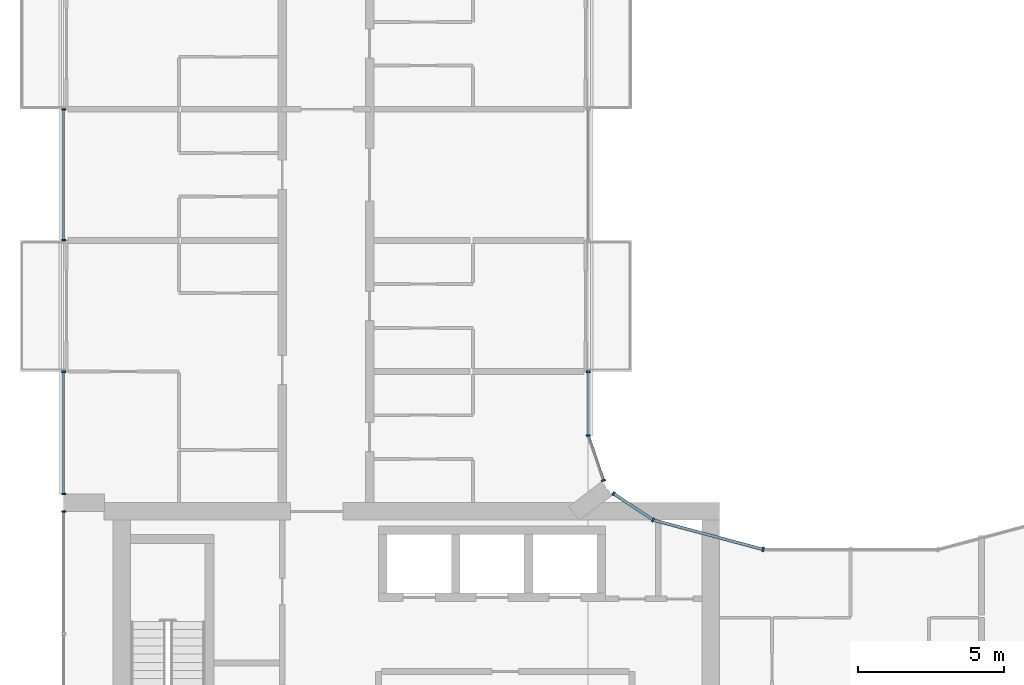
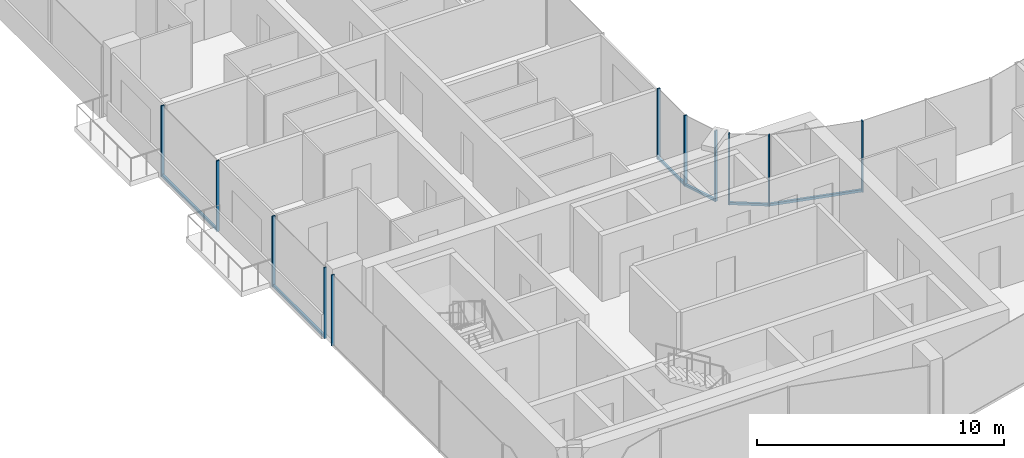
# One storey, part 4 of 17: 17 members, 7 elements without a shape of their own.
"""IFC4 building model written with IfcOpenShell, lengths in metres."""

from ifc_helpers import new_model, si_unit, direction, frame, origin, origin_2d, place, context, subcontext, project, spatial, rectangle, extrude, material, layer, layer_set, material_profile, profile_set, type_object, element, aggregate, save


model = new_model("IFC4")

# Units and contexts
model_context = context("Model", 3, precision=1e-05, world=origin(), true_north=direction((0.0, 1.0)))
body_context = subcontext(model_context, "Body", "Model", "MODEL_VIEW")
ifc_project = project(units=[si_unit("LENGTHUNIT", "METRE"), si_unit("AREAUNIT", "SQUARE_METRE"), si_unit("VOLUMEUNIT", "CUBIC_METRE"), si_unit("PLANEANGLEUNIT", "RADIAN"), si_unit("MASSUNIT", "GRAM", prefix="KILO")], contexts=[model_context])

# Site, building, storey
site_placement = place(None, origin())
site = spatial("IfcSite", under=ifc_project, at=site_placement, CompositionType="ELEMENT")
building_placement = place(site_placement, origin())
building = spatial("IfcBuilding", under=site, at=building_placement, Name="Plateau Cross Towers", CompositionType="ELEMENT")
storey_placement = place(building_placement, frame((0.0, 0.0, 142.89990234375)))
storey = spatial("IfcBuildingStorey", under=building, at=storey_placement, Name="L36", CompositionType="ELEMENT", Elevation=142.89990234375)

# Curtain wall, members
ifc_material_1 = material(Name="Dark low-iron glass", Category="glass")
ifc_layer_1 = layer(ifc_material_1, 0.239990234375)
ifc_layer_set_1 = layer_set([ifc_layer_1], Name="Dark low-iron glass")
curtain_wall_type_1 = type_object("IfcCurtainWallType", Name="Curtain wall flush unitised CW-B", PredefinedType="NOTDEFINED", material=ifc_layer_set_1)
curtain_wall_1_placement = place(storey_placement, origin())
curtain_wall_1 = element("IfcCurtainWall", 1, at=curtain_wall_1_placement, inside=storey, type_object=curtain_wall_type_1, Name="ENV/A/L36/A202_174", PredefinedType="NOTDEFINED")
ifc_material_2 = material(Name="Black anodised aluminium", Category="aluminium")
ifc_material_profile_1 = material_profile(ifc_material_2, rectangle(XDim=0.06005859375, YDim=0.139892578125, at=origin_2d()), Name="MULLION 60x140")
ifc_profile_set_1 = profile_set([ifc_material_profile_1], Name="Black anodised aluminium")
member_type_1 = type_object("IfcMemberType", Name="Mullion 60x140 flush unitised", PredefinedType="MULLION", material=ifc_profile_set_1)
member_1_placement = place(storey_placement, frame((20.223876953125, 17.404296875, -0.25), z_axis=(0.0, 0.0, 1.0), x_axis=(-0.831521253329, 0.555492938984, 0.0)))
member_1 = element("IfcMember", 2, at=member_1_placement, type_object=member_type_1, Name="CW-B mullion 1", PredefinedType="MULLION", context=body_context, shape_type="SweptSolid", body=[
    extrude(rectangle(XDim=0.06005859375, YDim=0.139892578125, at=origin_2d()), origin(), (0.0, 0.0, 1.0), 3.5),
])
member_2_placement = place(storey_placement, frame((18.86962890625, 18.30908203125, -0.25), z_axis=(0.0, 0.0, 1.0), x_axis=(-0.831521253329, 0.555492938984, 0.0)))
member_2 = element("IfcMember", 3, at=member_2_placement, type_object=member_type_1, Name="CW-B mullion 2", PredefinedType="MULLION", context=body_context, shape_type="SweptSolid", body=[
    extrude(rectangle(XDim=0.06005859375, YDim=0.139892578125, at=origin_2d()), origin(), (0.0, 0.0, 1.0), 3.5),
])

# Curtain wall, member
curtain_wall_2_placement = place(storey_placement, origin())
curtain_wall_2 = element("IfcCurtainWall", 4, at=curtain_wall_2_placement, inside=storey, type_object=curtain_wall_type_1, Name="ENV/A/L36/A185_188", PredefinedType="NOTDEFINED")
member_3_placement = place(storey_placement, frame((18.523681640625, 18.760009765625, -0.25), z_axis=(0.0, 0.0, 1.0), x_axis=(-0.321469161574, 0.94692004845, 0.0)))
member_3 = element("IfcMember", 5, at=member_3_placement, type_object=member_type_1, Name="CW-B mullion 1", PredefinedType="MULLION", context=body_context, shape_type="SweptSolid", body=[
    extrude(rectangle(XDim=0.06005859375, YDim=0.139892578125, at=origin_2d()), origin(), (0.0, 0.0, 1.0), 3.5),
])

# Curtain wall, members
curtain_wall_3_placement = place(storey_placement, origin())
curtain_wall_3 = element("IfcCurtainWall", 6, at=curtain_wall_3_placement, inside=storey, type_object=curtain_wall_type_1, Name="ENV/A/L36/A180_203", PredefinedType="NOTDEFINED")
member_4_placement = place(storey_placement, frame((18.0, 20.30224609375, -0.25), z_axis=(0.0, 0.0, 1.0), x_axis=(0.0, 1.0, 0.0)))
member_4 = element("IfcMember", 7, at=member_4_placement, type_object=member_type_1, Name="CW-B mullion 1", PredefinedType="MULLION", context=body_context, shape_type="SweptSolid", body=[
    extrude(rectangle(XDim=0.06005859375, YDim=0.139892578125, at=origin_2d()), origin(), (0.0, 0.0, 1.0), 3.5),
])
member_5_placement = place(storey_placement, frame((18.0, 22.489990234375, -0.25), z_axis=(0.0, 0.0, 1.0), x_axis=(0.0, 1.0, 0.0)))
member_5 = element("IfcMember", 8, at=member_5_placement, type_object=member_type_1, Name="CW-B mullion 2", PredefinedType="MULLION", context=body_context, shape_type="SweptSolid", body=[
    extrude(rectangle(XDim=0.06005859375, YDim=0.139892578125, at=origin_2d()), origin(), (0.0, 0.0, 1.0), 3.5),
])

curtain_wall_4_placement = place(storey_placement, origin())
curtain_wall_4 = element("IfcCurtainWall", 9, at=curtain_wall_4_placement, inside=storey, type_object=curtain_wall_type_1, Name="ENV/A/L36/A0_315", PredefinedType="NOTDEFINED")
member_6_placement = place(storey_placement, frame((0.0, 31.489990234375, -0.25), z_axis=(0.0, 0.0, 1.0), x_axis=(0.0, -1.0, 0.0)))
member_6 = element("IfcMember", 10, at=member_6_placement, type_object=member_type_1, Name="CW-B mullion 1", PredefinedType="MULLION", context=body_context, shape_type="SweptSolid", body=[
    extrude(rectangle(XDim=0.06005859375, YDim=0.139892578125, at=origin_2d()), origin(), (0.0, 0.0, 1.0), 3.5),
])
member_7_placement = place(storey_placement, frame((0.0, 27.010009765625, -0.25), z_axis=(0.0, 0.0, 1.0), x_axis=(0.0, -1.0, 0.0)))
member_7 = element("IfcMember", 11, at=member_7_placement, type_object=member_type_1, Name="CW-B mullion 2", PredefinedType="MULLION", context=body_context, shape_type="SweptSolid", body=[
    extrude(rectangle(XDim=0.06005859375, YDim=0.139892578125, at=origin_2d()), origin(), (0.0, 0.0, 1.0), 3.5),
])

curtain_wall_5_placement = place(storey_placement, origin())
curtain_wall_5 = element("IfcCurtainWall", 12, at=curtain_wall_5_placement, inside=storey, type_object=curtain_wall_type_1, Name="ENV/A/L36/A0_225", PredefinedType="NOTDEFINED")
member_8_placement = place(storey_placement, frame((0.0, 22.489990234375, -0.25), z_axis=(0.0, 0.0, 1.0), x_axis=(0.0, -1.0, 0.0)))
member_8 = element("IfcMember", 13, at=member_8_placement, type_object=member_type_1, Name="CW-B mullion 1", PredefinedType="MULLION", context=body_context, shape_type="SweptSolid", body=[
    extrude(rectangle(XDim=0.06005859375, YDim=0.139892578125, at=origin_2d()), origin(), (0.0, 0.0, 1.0), 3.5),
])
member_9_placement = place(storey_placement, frame((0.0, 18.300048828125, -0.25), z_axis=(0.0, 0.0, 1.0), x_axis=(0.0, -1.0, 0.0)))
member_9 = element("IfcMember", 14, at=member_9_placement, type_object=member_type_1, Name="CW-B mullion 2", PredefinedType="MULLION", context=body_context, shape_type="SweptSolid", body=[
    extrude(rectangle(XDim=0.06005859375, YDim=0.139892578125, at=origin_2d()), origin(), (0.0, 0.0, 1.0), 3.5),
])

# Curtain wall, member
curtain_wall_6_placement = place(storey_placement, origin())
curtain_wall_6 = element("IfcCurtainWall", 15, at=curtain_wall_6_placement, inside=storey, type_object=curtain_wall_type_1, Name="ENV/A/L36/A0_177", PredefinedType="NOTDEFINED")
member_10_placement = place(storey_placement, frame((0.0, 17.699951171875, -0.25), z_axis=(0.0, 0.0, 1.0), x_axis=(0.0, -1.0, 0.0)))
member_10 = element("IfcMember", 16, at=member_10_placement, type_object=member_type_1, Name="CW-B mullion 1", PredefinedType="MULLION", context=body_context, shape_type="SweptSolid", body=[
    extrude(rectangle(XDim=0.06005859375, YDim=0.139892578125, at=origin_2d()), origin(), (0.0, 0.0, 1.0), 3.5),
])
aggregate(curtain_wall_6, [member_10])

ifc_layer_2 = layer(ifc_material_1, 0.260009765625)
ifc_layer_set_2 = layer_set([ifc_layer_2], Name="Dark low-iron glass")
curtain_wall_type_2 = type_object("IfcCurtainWallType", Name="Curtain wall fluted unitised CW-A", PredefinedType="NOTDEFINED", material=ifc_layer_set_2)
curtain_wall_7_placement = place(storey_placement, origin())
curtain_wall_7 = element("IfcCurtainWall", 17, at=curtain_wall_7_placement, inside=storey, type_object=curtain_wall_type_2, Name="ENV/A/L36/A240_164", PredefinedType="NOTDEFINED")
ifc_material_profile_2 = material_profile(ifc_material_2, rectangle(XDim=0.06005859375, YDim=0.159912109375, at=origin_2d()), Name="MULLION 60x160")
ifc_profile_set_2 = profile_set([ifc_material_profile_2], Name="Black anodised aluminium")
member_type_2 = type_object("IfcMemberType", Name="Mullion 60x160 fluted unitised", PredefinedType="MULLION", material=ifc_profile_set_2)
member_11_placement = place(storey_placement, frame((24.0, 16.39306640625, -0.25), z_axis=(0.0, 0.0, 1.0), x_axis=(-0.965957995816, 0.258698956933, 0.0)))
member_11 = element("IfcMember", 18, at=member_11_placement, type_object=member_type_2, Name="CW-A mullion 1", PredefinedType="MULLION", context=body_context, shape_type="SweptSolid", body=[
    extrude(rectangle(XDim=0.06005859375, YDim=0.159912109375, at=origin_2d()), origin(), (0.0, 0.0, 1.0), 3.5),
])

# Member
ifc_material_profile_3 = material_profile(ifc_material_2, rectangle(XDim=0.10009765625, YDim=0.1201171875, at=origin_2d()), Name="TRANSOM 100x120")
ifc_profile_set_3 = profile_set([ifc_material_profile_3], Name="Black anodised aluminium")
member_type_3 = type_object("IfcMemberType", Name="Transom 100x120 flush unitised", PredefinedType="USERDEFINED", material=ifc_profile_set_3)
member_12_placement = place(storey_placement, frame((20.223876953125, 17.404296875, -0.18994140625), z_axis=(-0.831496402487, 0.555530136582, 0.0), x_axis=(-0.555530136582, -0.831496402487, 0.0)))
member_12 = element("IfcMember", 19, at=member_12_placement, type_object=member_type_3, Name="CW-B transom", ObjectType="TRANSOM", PredefinedType="USERDEFINED", context=body_context, shape_type="SweptSolid", body=[
    extrude(rectangle(XDim=0.10009765625, YDim=0.1201171875, at=origin_2d()), origin(), (0.0, 0.0, 1.0), 1.628662109375),
])

aggregate(curtain_wall_1, [member_1, member_2, member_12])

member_13_placement = place(storey_placement, frame((18.523681640625, 18.760009765625, -0.18994140625), z_axis=(-0.321529174838, 0.946899672472, 0.0), x_axis=(-0.946899672472, -0.321529174838, 0.0)))
member_13 = element("IfcMember", 20, at=member_13_placement, type_object=member_type_3, Name="CW-B transom", ObjectType="TRANSOM", PredefinedType="USERDEFINED", context=body_context, shape_type="SweptSolid", body=[
    extrude(rectangle(XDim=0.10009765625, YDim=0.1201171875, at=origin_2d()), origin(), (0.0, 0.0, 1.0), 1.628662109375),
])

aggregate(curtain_wall_2, [member_3, member_13])

member_14_placement = place(storey_placement, frame((18.0, 20.30224609375, -0.18994140625), z_axis=(0.0, 1.0, 0.0), x_axis=(-1.0, 0.0, 0.0)))
member_14 = element("IfcMember", 21, at=member_14_placement, type_object=member_type_3, Name="CW-B transom", ObjectType="TRANSOM", PredefinedType="USERDEFINED", context=body_context, shape_type="SweptSolid", body=[
    extrude(rectangle(XDim=0.10009765625, YDim=0.1201171875, at=origin_2d()), origin(), (0.0, 0.0, 1.0), 2.187744140625),
])

aggregate(curtain_wall_3, [member_4, member_5, member_14])

member_15_placement = place(storey_placement, frame((0.0, 31.489990234375, -0.18994140625), z_axis=(0.0, -1.0, 0.0), x_axis=(1.0, 0.0, 0.0)))
member_15 = element("IfcMember", 22, at=member_15_placement, type_object=member_type_3, Name="CW-B transom", ObjectType="TRANSOM", PredefinedType="USERDEFINED", context=body_context, shape_type="SweptSolid", body=[
    extrude(rectangle(XDim=0.10009765625, YDim=0.1201171875, at=origin_2d()), origin(), (0.0, 0.0, 1.0), 4.47998046875),
])

aggregate(curtain_wall_4, [member_6, member_7, member_15])

member_16_placement = place(storey_placement, frame((0.0, 22.489990234375, -0.18994140625), z_axis=(0.0, -1.0, 0.0), x_axis=(1.0, 0.0, 0.0)))
member_16 = element("IfcMember", 23, at=member_16_placement, type_object=member_type_3, Name="CW-B transom", ObjectType="TRANSOM", PredefinedType="USERDEFINED", context=body_context, shape_type="SweptSolid", body=[
    extrude(rectangle(XDim=0.10009765625, YDim=0.1201171875, at=origin_2d()), origin(), (0.0, 0.0, 1.0), 4.18994140625),
])

aggregate(curtain_wall_5, [member_8, member_9, member_16])

ifc_material_profile_4 = material_profile(ifc_material_2, rectangle(XDim=0.10009765625, YDim=0.1201171875, at=origin_2d()), Name="TRANSOM 100x120")
ifc_profile_set_4 = profile_set([ifc_material_profile_4], Name="Black anodised aluminium")
member_type_4 = type_object("IfcMemberType", Name="Transom 100x120 fluted unitised", PredefinedType="USERDEFINED", material=ifc_profile_set_4)
member_17_placement = place(storey_placement, frame((24.0, 16.39306640625, -0.18994140625), z_axis=(-0.965962822393, 0.25868093427, 0.0), x_axis=(-0.25868093427, -0.965962822393, 0.0)))
member_17 = element("IfcMember", 24, at=member_17_placement, type_object=member_type_4, Name="CW-A transom", ObjectType="TRANSOM", PredefinedType="USERDEFINED", context=body_context, shape_type="SweptSolid", body=[
    extrude(rectangle(XDim=0.10009765625, YDim=0.1201171875, at=origin_2d()), origin(), (0.0, 0.0, 1.0), 3.9091796875),
])

aggregate(curtain_wall_7, [member_11, member_17])

save(model, "model.ifc")
